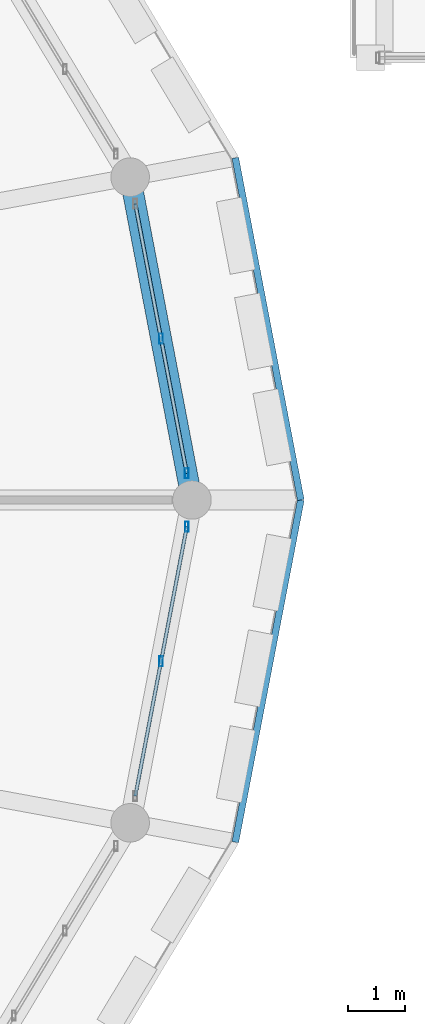
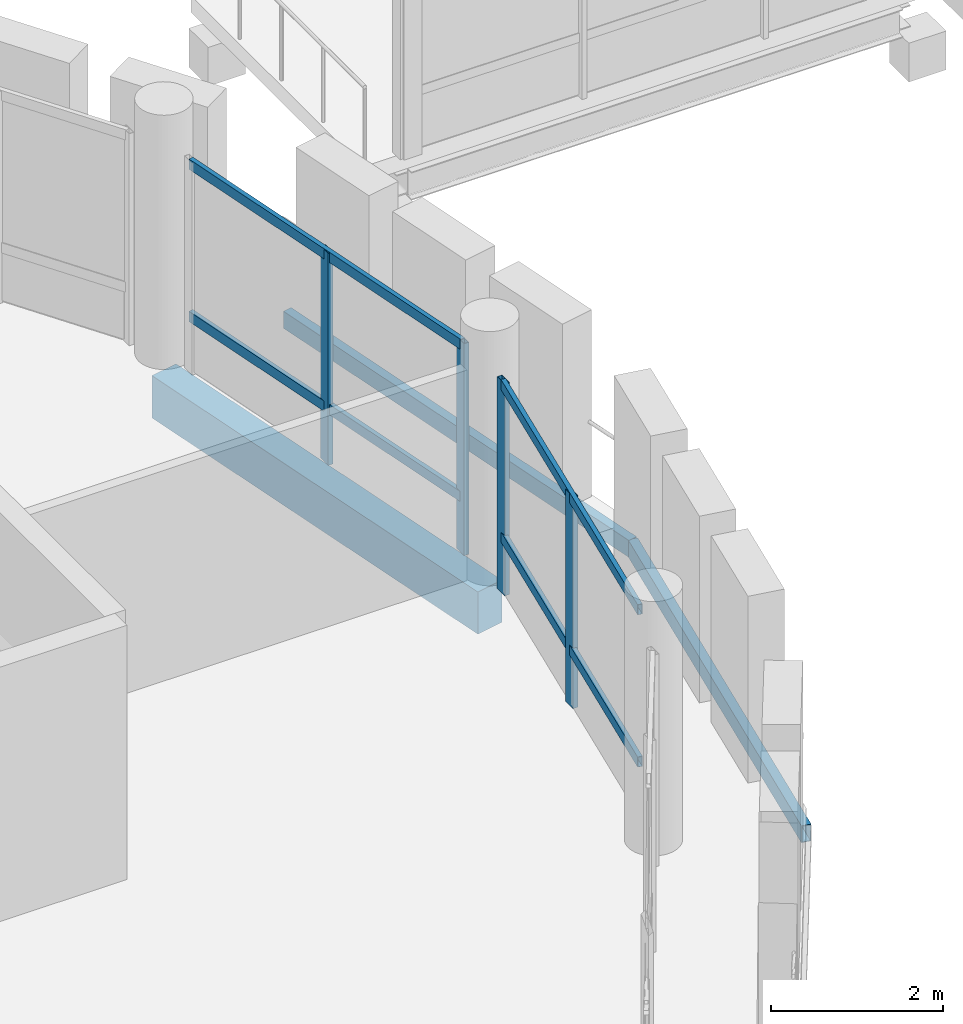
# One storey, part 56 of 128: 8 members, 3 beams, 2 elements without a shape of their own.
"""IFC4 building model written with IfcOpenShell, lengths in metres."""

import ifcopenshell
import ifcopenshell.guid

model = None  # the IFC model being written
_history = None  # IfcOwnerHistory: only IFC2X3 demands one
_inside = {}  # id of a spatial element -> (the spatial element, [elements in it])
_under = {}  # id of a project, library or spatial element -> (it, [spatial elements below it])
_declared = {}  # id of a project -> (the project, [libraries it declares])
_typed = {}  # id of a type object -> (the type object, [elements of that type])
_made_of = {}  # id of a material, layer set ... -> (it, [elements and type objects made of it])


def new_model(schema):
    """Start an empty IFC model of exactly this schema.

    Asked for "IFC4X3", IfcOpenShell would pick the latest addendum, in which some entities
    have other attributes; the version numbers below select the first issue.
    IFC2X3 requires an IfcOwnerHistory on every rooted entity: one is made here for all.
    """
    global model, _history
    if schema == "IFC4X3":
        model = ifcopenshell.file(schema_version=(4, 3, 0, 0))
    else:
        model = ifcopenshell.file(schema=schema)
    _inside.clear()
    _under.clear()
    _declared.clear()
    _typed.clear()
    _made_of.clear()
    _history = None
    if model.schema == "IFC2X3":
        org = make("IfcOrganization", Name="unknown")
        user = make(
            "IfcPersonAndOrganization",
            ThePerson=make("IfcPerson", FamilyName="unknown"),
            TheOrganization=org,
        )
        app = make(
            "IfcApplication",
            ApplicationDeveloper=org,
            Version="unknown",
            ApplicationFullName="unknown",
            ApplicationIdentifier="unknown",
        )
        _history = make(
            "IfcOwnerHistory",
            OwningUser=user,
            OwningApplication=app,
            ChangeAction="ADDED",
            CreationDate=0,
        )
    return model


def make(cls, **values):
    """One entity of the class cls with the attributes given. An attribute that is None is left unset."""
    return model.create_entity(
        cls, **{name: value for name, value in values.items() if value is not None}
    )


def rooted(cls, **values):
    """An entity with a GlobalId (a new one), such as an element, a storey or a relation."""
    return make(cls, GlobalId=ifcopenshell.guid.new(), OwnerHistory=_history, **values)


def si_unit(unit_type, name, prefix=None):
    """IfcSIUnit, for example si_unit("LENGTHUNIT", "METRE", prefix="MILLI")."""
    return make("IfcSIUnit", UnitType=unit_type, Prefix=prefix, Name=name)


def assignment(units):
    """IfcUnitAssignment: the units of a project."""
    return None if units is None else make("IfcUnitAssignment", Units=units)


def point(xyz):
    """IfcCartesianPoint."""
    return None if xyz is None else make("IfcCartesianPoint", Coordinates=xyz)


def direction(xyz):
    """IfcDirection."""
    return None if xyz is None else make("IfcDirection", DirectionRatios=xyz)


def frame(location, z_axis=None, x_axis=None):
    """IfcAxis2Placement3D, a coordinate frame: its origin and axes. An axis left out is left unset."""
    return make(
        "IfcAxis2Placement3D",
        Location=point(location),
        Axis=direction(z_axis),
        RefDirection=direction(x_axis),
    )


def frame_2d(location, x_axis=None):
    """IfcAxis2Placement2D, a coordinate frame in the plane: its origin and x axis."""
    return make(
        "IfcAxis2Placement2D", Location=point(location), RefDirection=direction(x_axis)
    )


def origin():
    """The frame at (0, 0, 0) with its axes left unset."""
    return frame((0.0, 0.0, 0.0))


def origin_2d():
    """The frame at (0, 0) in the plane with its x axis left unset."""
    return frame_2d((0.0, 0.0))


def place(relative_to, where):
    """IfcLocalPlacement: puts the frame where relative to a parent placement (None: the world)."""
    return make(
        "IfcLocalPlacement", PlacementRelTo=relative_to, RelativePlacement=where
    )


def context(
    kind, dimensions, precision=None, world=None, true_north=None, identifier=None
):
    """IfcGeometricRepresentationContext, for example the 3D "Model" context."""
    return make(
        "IfcGeometricRepresentationContext",
        ContextIdentifier=identifier,
        ContextType=kind,
        CoordinateSpaceDimension=dimensions,
        Precision=precision,
        WorldCoordinateSystem=world,
        TrueNorth=true_north,
    )


def subcontext(parent, identifier, kind, view, scale=None):
    """IfcGeometricRepresentationSubContext, for example "Body" below "Model"."""
    return make(
        "IfcGeometricRepresentationSubContext",
        ContextIdentifier=identifier,
        ContextType=kind,
        ParentContext=parent,
        TargetScale=scale,
        TargetView=view,
    )


def project(units=None, contexts=None):
    """IfcProject with its units and contexts."""
    return rooted(
        "IfcProject",
        Name="project",
        RepresentationContexts=contexts,
        UnitsInContext=assignment(units),
    )


def spatial(cls, under=None, at=None, **own):
    """A site, building, storey or space (cls), placed at a placement, below another one or the project."""
    s = rooted(cls, ObjectPlacement=at, **own)
    if under is not None:
        _under.setdefault(under.id(), (under, []))[1].append(s)
    return s


def profile(cls, at=None, kind="AREA", **sizes):
    """A parametric profile (cls). Its sizes go by their IFC names, for example OverallWidth=200.0."""
    return make(cls, ProfileType=kind, Position=at, **sizes)


def rectangle(**sizes):
    """IfcRectangleProfileDef."""
    return profile("IfcRectangleProfileDef", **sizes)


def hollow_rectangle(**sizes):
    """IfcRectangleHollowProfileDef."""
    return profile("IfcRectangleHollowProfileDef", **sizes)


def extrude(swept, where, along, depth):
    """IfcExtrudedAreaSolid: the profile swept, set in the frame where, extruded along a direction by depth."""
    return make(
        "IfcExtrudedAreaSolid",
        SweptArea=swept,
        Position=where,
        ExtrudedDirection=direction(along),
        Depth=depth,
    )


def shape(context_of_items, identifier, shape_type, items):
    """IfcShapeRepresentation: the items that make up one representation, for example the "Body"."""
    return make(
        "IfcShapeRepresentation",
        ContextOfItems=context_of_items,
        RepresentationIdentifier=identifier,
        RepresentationType=shape_type,
        Items=items,
    )


def material(Name=None, Category=None):
    """IfcMaterial."""
    return make("IfcMaterial", Name=Name, Category=Category)


def material_profile(
    of_material, cross_section, Name=None, Category=None, Priority=None
):
    """IfcMaterialProfile: a cross section and its material."""
    return make(
        "IfcMaterialProfile",
        Name=Name,
        Material=of_material,
        Profile=cross_section,
        Priority=Priority,
        Category=Category,
    )


def profile_set(profiles, Name=None, composite=None):
    """IfcMaterialProfileSet."""
    return make(
        "IfcMaterialProfileSet",
        Name=Name,
        MaterialProfiles=profiles,
        CompositeProfile=composite,
    )


def made_of(thing, what):
    """Note that an element or type object is made of a material, layer set ...; save() writes the relation."""
    if what is not None:
        _made_of.setdefault(what.id(), (what, []))[1].append(thing)
    return thing


def type_object(cls, material=None, **own):
    """A type object (cls), such as IfcWallType, which elements share."""
    return made_of(rooted(cls, **own), material)


def element(
    cls,
    number,
    at=None,
    inside=None,
    cuts=None,
    type_object=None,
    material=None,
    context=None,
    identifier="Body",
    shape_type=None,
    held_by="IfcProductDefinitionShape",
    body=None,
    shapes=None,
    **own,
):
    """One element of the class cls, such as IfcWall. Its Tag is "e" and its number.

    at: its placement. inside: the storey or other place that contains it. cuts: it is an
    opening in that element (IfcRelVoidsElement). A single representation is given by context,
    identifier, shape_type and body (its items); several are given by shapes. held_by: the class
    of the entity that holds the representations. save() writes the other relations.
    """
    e = rooted(cls, Tag="e%d" % number, ObjectPlacement=at, **own)
    if body is not None:
        shapes = [shape(context, identifier, shape_type, body)]
    if shapes is not None:
        e.Representation = make(held_by, Representations=shapes)
    if inside is not None:
        _inside.setdefault(inside.id(), (inside, []))[1].append(e)
    if cuts is not None:
        rooted(
            "IfcRelVoidsElement", RelatingBuildingElement=cuts, RelatedOpeningElement=e
        )
    if type_object is not None:
        _typed.setdefault(type_object.id(), (type_object, []))[1].append(e)
    return made_of(e, material)


def aggregate(whole, parts):
    """IfcRelAggregates: a whole, such as a stair, and the parts it consists of."""
    return rooted("IfcRelAggregates", RelatingObject=whole, RelatedObjects=parts)


def save(model, path):
    """Write the relations noted so far, then the file.

    IfcRelAggregates (storeys below a building ...), IfcRelContainedInSpatialStructure (elements
    in a storey), IfcRelDefinesByType, IfcRelAssociatesMaterial and IfcRelDeclares: one each for
    every whole, place, type object, material and project.
    """
    for whole, parts in _under.values():
        aggregate(whole, parts)
    for where, things in _inside.values():
        rooted(
            "IfcRelContainedInSpatialStructure",
            RelatedElements=things,
            RelatingStructure=where,
        )
    for kind, things in _typed.values():
        rooted("IfcRelDefinesByType", RelatedObjects=things, RelatingType=kind)
    for what, things in _made_of.values():
        rooted("IfcRelAssociatesMaterial", RelatedObjects=things, RelatingMaterial=what)
    for by, libraries in _declared.values():
        rooted("IfcRelDeclares", RelatingContext=by, RelatedDefinitions=libraries)
    model.write(path)


model = new_model("IFC4")

# Units and contexts
model_context = context("Model", 3, precision=1e-05, world=origin(), true_north=direction((0.0, 1.0)))
body_context = subcontext(model_context, "Body", "Model", "MODEL_VIEW")
ifc_project = project(units=[si_unit("LENGTHUNIT", "METRE"), si_unit("AREAUNIT", "SQUARE_METRE"), si_unit("VOLUMEUNIT", "CUBIC_METRE"), si_unit("PLANEANGLEUNIT", "RADIAN"), si_unit("MASSUNIT", "GRAM", prefix="KILO")], contexts=[model_context])

# Site, building, storey
site_placement = place(None, origin())
site = spatial("IfcSite", under=ifc_project, at=site_placement, CompositionType="ELEMENT")
building_placement = place(site_placement, origin())
building = spatial("IfcBuilding", under=site, at=building_placement, Name="Zornivar Specialist Clinic", CompositionType="ELEMENT")
storey_placement = place(building_placement, frame((0.0, 0.0, 4.5)))
storey = spatial("IfcBuildingStorey", under=building, at=storey_placement, Name="L01", CompositionType="ELEMENT", Elevation=4.5)

# Beams
ifc_material_1 = material(Name="Concrete C30/37", Category="concrete")
ifc_material_profile_1 = material_profile(ifc_material_1, rectangle(XDim=0.3701171875, YDim=0.60009765625, at=origin_2d()), Name="RC 370x600")
ifc_profile_set_1 = profile_set([ifc_material_profile_1], Name="Concrete C30/37")
beam_type_1 = type_object("IfcBeamType", Name="BM-RC-SPANDREL-370x600", PredefinedType="SPANDREL", material=ifc_profile_set_1)
beam_1_placement = place(storey_placement, frame((125.60009765625, 57.60009765625, -0.5400390625), z_axis=(-0.188035104441, 0.982162308123, 0.0), x_axis=(-0.982162308123, -0.188035104441, 0.0)))
element("IfcBeam", 1, at=beam_1_placement, inside=storey, type_object=beam_type_1, Name="bm:V1:L01:outring:00", PredefinedType="SPANDREL", context=body_context, shape_type="SweptSolid", body=[
    extrude(rectangle(XDim=0.3701171875, YDim=0.60009765625, at=origin_2d()), origin(), (0.0, 0.0, 1.0), 5.79736328125),
])
ifc_material_2 = material(Name="Steel S355J2", Category="steel")
ifc_material_profile_2 = material_profile(ifc_material_2, hollow_rectangle(XDim=0.1201171875, YDim=0.239990234375, WallThickness=0.008056640625, at=origin_2d()), Name="RHS 240x120x8")
ifc_profile_set_2 = profile_set([ifc_material_profile_2], Name="Steel S355J2")
beam_type_2 = type_object("IfcBeamType", Name="BM-STL-RHS240", PredefinedType="JOIST", material=ifc_profile_set_2)
beam_2_placement = place(storey_placement, frame((127.52001953125, 57.60009765625, -0.360107421875), z_axis=(-0.188103253611, 0.982149258505, 0.0), x_axis=(-0.982149258505, -0.188103253611, 0.0)))
element("IfcBeam", 2, at=beam_2_placement, inside=storey, type_object=beam_type_2, Name="bm:V1:L01:balring:00", PredefinedType="JOIST", context=body_context, shape_type="SweptSolid", body=[
    extrude(hollow_rectangle(XDim=0.1201171875, YDim=0.239990234375, WallThickness=0.008056640625, at=origin_2d()), origin(), (0.0, 0.0, 1.0), 6.1455078125),
])
beam_3_placement = place(storey_placement, frame((126.364013671875, 51.56396484375, -0.360107421875), z_axis=(0.188095914668, 0.982150664046, 0.0), x_axis=(-0.982150664046, 0.188095914668, 0.0)))
element("IfcBeam", 3, at=beam_3_placement, inside=storey, type_object=beam_type_2, Name="bm:V1:L01:balring:23", PredefinedType="JOIST", context=body_context, shape_type="SweptSolid", body=[
    extrude(hollow_rectangle(XDim=0.1201171875, YDim=0.239990234375, WallThickness=0.008056640625, at=origin_2d()), origin(), (0.0, 0.0, 1.0), 6.145751953125),
])

# Curtain wall, members
ifc_material_3 = material(Name="Aluminium and Low-E Glass Curtain Wall", Category="aluminium")
curtain_wall_type = type_object("IfcCurtainWallType", Name="CW-DRUM-FACET", PredefinedType="NOTDEFINED", material=ifc_material_3)
curtain_wall_1_placement = place(storey_placement, origin())
curtain_wall_1 = element("IfcCurtainWall", 4, at=curtain_wall_1_placement, inside=storey, type_object=curtain_wall_type, Name="cw:V1:L01:c00", PredefinedType="NOTDEFINED")
ifc_material_4 = material(Name="Aluminium AW-6060", Category="aluminium")
ifc_material_profile_3 = material_profile(ifc_material_4, hollow_rectangle(XDim=0.06494140625, YDim=0.175048828125, WallThickness=0.00439453125, at=origin_2d()), Name="ALU 65x175x4.5")
ifc_profile_set_3 = profile_set([ifc_material_profile_3], Name="Aluminium AW-6060")
member_type_1 = type_object("IfcMemberType", Name="CWM-MUL-175", PredefinedType="MULLION", material=ifc_profile_set_3)
member_1_placement = place(storey_placement, frame((125.509033203125, 58.071044921875, 0.0), z_axis=(0.0, 0.0, 1.0), x_axis=(1.0, 0.0, 0.0)))
member_1 = element("IfcMember", 5, at=member_1_placement, type_object=member_type_1, Name="cw:V1:L01:c00:mul:0", PredefinedType="MULLION", context=body_context, shape_type="SweptSolid", body=[
    extrude(hollow_rectangle(XDim=0.06494140625, YDim=0.175048828125, WallThickness=0.00439453125, at=origin_2d()), origin(), (0.0, 0.0, 1.0), 3.010009765625),
])
member_2_placement = place(storey_placement, frame((125.054931640625, 60.447021484375, 0.0), z_axis=(0.0, 0.0, 1.0), x_axis=(1.0, 0.0, 0.0)))
member_2 = element("IfcMember", 6, at=member_2_placement, type_object=member_type_1, Name="cw:V1:L01:c00:mul:1", PredefinedType="MULLION", context=body_context, shape_type="SweptSolid", body=[
    extrude(hollow_rectangle(XDim=0.06494140625, YDim=0.175048828125, WallThickness=0.00439453125, at=origin_2d()), origin(), (0.0, 0.0, 1.0), 3.010009765625),
])

curtain_wall_2_placement = place(storey_placement, origin())
curtain_wall_2 = element("IfcCurtainWall", 7, at=curtain_wall_2_placement, inside=storey, type_object=curtain_wall_type, Name="cw:V1:L01:c23", PredefinedType="NOTDEFINED")
member_3_placement = place(storey_placement, frame((125.054931640625, 54.7529296875, 0.0), z_axis=(0.0, 0.0, 1.0), x_axis=(1.0, 0.0, 0.0)))
member_3 = element("IfcMember", 8, at=member_3_placement, type_object=member_type_1, Name="cw:V1:L01:c23:mul:1", PredefinedType="MULLION", context=body_context, shape_type="SweptSolid", body=[
    extrude(hollow_rectangle(XDim=0.06494140625, YDim=0.175048828125, WallThickness=0.00439453125, at=origin_2d()), origin(), (0.0, 0.0, 1.0), 3.010009765625),
])
member_4_placement = place(storey_placement, frame((125.510009765625, 57.12890625, 0.0), z_axis=(0.0, 0.0, 1.0), x_axis=(1.0, 0.0, 0.0)))
member_4 = element("IfcMember", 9, at=member_4_placement, type_object=member_type_1, Name="cw:V1:L01:c23:mul:2", PredefinedType="MULLION", context=body_context, shape_type="SweptSolid", body=[
    extrude(hollow_rectangle(XDim=0.06494140625, YDim=0.175048828125, WallThickness=0.00439453125, at=origin_2d()), origin(), (0.0, 0.0, 1.0), 3.010009765625),
])

# Member
ifc_material_5 = material(Name="Aluminium AW-6060", Category="aluminium")
ifc_material_profile_4 = material_profile(ifc_material_5, hollow_rectangle(XDim=0.06005859375, YDim=0.14501953125, WallThickness=0.00390625, at=origin_2d()), Name="ALU 60x145x4")
ifc_profile_set_4 = profile_set([ifc_material_profile_4], Name="Aluminium AW-6060")
member_type_2 = type_object("IfcMemberType", Name="CWM-TRN-145", PredefinedType="USERDEFINED", material=ifc_profile_set_4)
member_5_placement = place(storey_placement, frame((125.509033203125, 58.071044921875, 0.782958984375), z_axis=(-0.18767557324, 0.982231072207, 0.0), x_axis=(-0.982231072207, -0.18767557324, 0.0)))
member_5 = element("IfcMember", 10, at=member_5_placement, type_object=member_type_2, Name="cw:V1:L01:c00:trn:0", ObjectType="TRANSOM", PredefinedType="USERDEFINED", context=body_context, shape_type="SweptSolid", body=[
    extrude(hollow_rectangle(XDim=0.06005859375, YDim=0.14501953125, WallThickness=0.00390625, at=origin_2d()), origin(), (0.0, 0.0, 1.0), 4.837890625),
])

member_6_placement = place(storey_placement, frame((125.509033203125, 58.071044921875, 2.945068359375), z_axis=(-0.18767557324, 0.982231072207, 0.0), x_axis=(-0.982231072207, -0.18767557324, 0.0)))
member_6 = element("IfcMember", 11, at=member_6_placement, type_object=member_type_2, Name="cw:V1:L01:c00:trn:1", ObjectType="TRANSOM", PredefinedType="USERDEFINED", context=body_context, shape_type="SweptSolid", body=[
    extrude(hollow_rectangle(XDim=0.06005859375, YDim=0.14501953125, WallThickness=0.00390625, at=origin_2d()), origin(), (0.0, 0.0, 1.0), 4.837890625),
])

aggregate(curtain_wall_1, [member_1, member_2, member_5, member_6])

member_7_placement = place(storey_placement, frame((124.60107421875, 52.376953125, 0.782958984375), z_axis=(0.18767557324, 0.982231072207, 0.0), x_axis=(-0.982231072207, 0.18767557324, 0.0)))
member_7 = element("IfcMember", 12, at=member_7_placement, type_object=member_type_2, Name="cw:V1:L01:c23:trn:0", ObjectType="TRANSOM", PredefinedType="USERDEFINED", context=body_context, shape_type="SweptSolid", body=[
    extrude(hollow_rectangle(XDim=0.06005859375, YDim=0.14501953125, WallThickness=0.00390625, at=origin_2d()), origin(), (0.0, 0.0, 1.0), 4.837890625),
])

member_8_placement = place(storey_placement, frame((124.60107421875, 52.376953125, 2.945068359375), z_axis=(0.18767557324, 0.982231072207, 0.0), x_axis=(-0.982231072207, 0.18767557324, 0.0)))
member_8 = element("IfcMember", 13, at=member_8_placement, type_object=member_type_2, Name="cw:V1:L01:c23:trn:1", ObjectType="TRANSOM", PredefinedType="USERDEFINED", context=body_context, shape_type="SweptSolid", body=[
    extrude(hollow_rectangle(XDim=0.06005859375, YDim=0.14501953125, WallThickness=0.00390625, at=origin_2d()), origin(), (0.0, 0.0, 1.0), 4.837890625),
])

aggregate(curtain_wall_2, [member_3, member_4, member_7, member_8])

save(model, "model.ifc")
